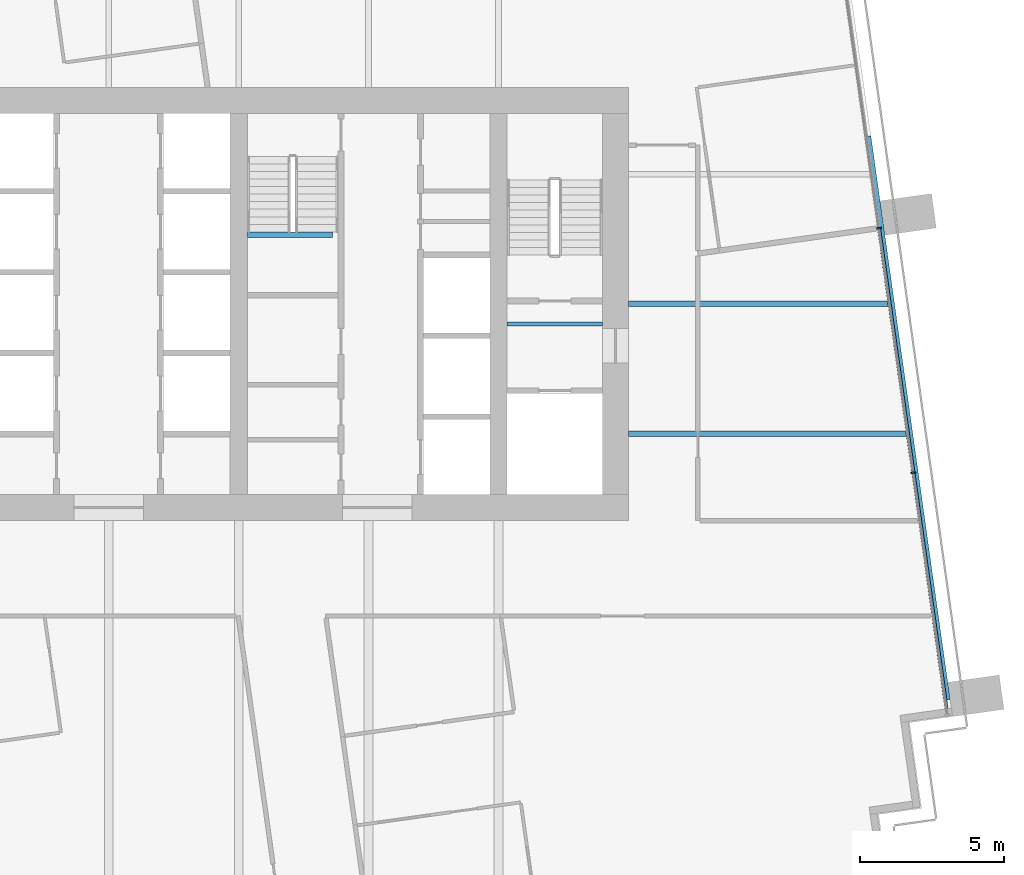
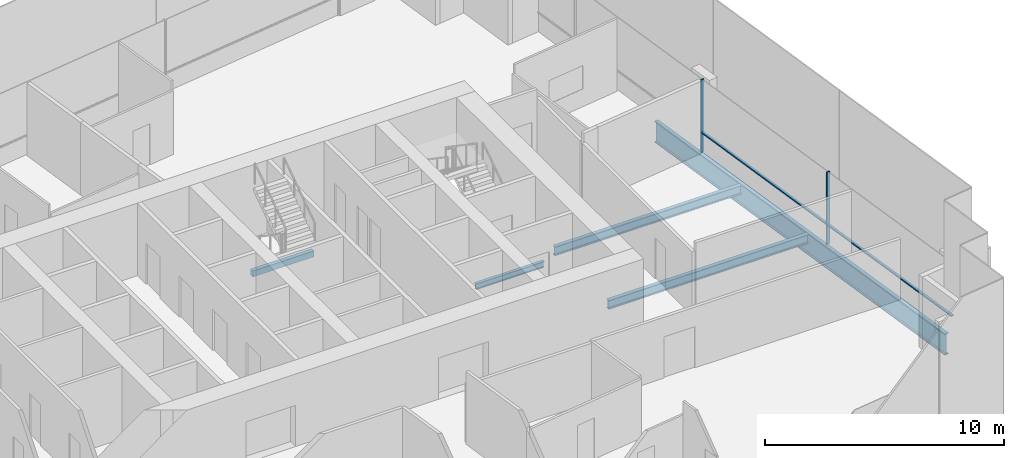
# One storey, part 5 of 17: 5 beams, 4 members, 1 element without a shape of its own.
"""IFC4 building model written with IfcOpenShell, lengths in metres."""

from ifc_helpers import new_model, si_unit, direction, frame, origin, origin_2d, place, context, subcontext, project, spatial, rectangle, i_section, extrude, material, material_profile, profile_set, type_object, element, aggregate, save


model = new_model("IFC4")

# Units and contexts
model_context = context("Model", 3, precision=1e-05, world=origin(), true_north=direction((0.0, 1.0)))
body_context = subcontext(model_context, "Body", "Model", "MODEL_VIEW")
ifc_project = project(units=[si_unit("LENGTHUNIT", "METRE"), si_unit("AREAUNIT", "SQUARE_METRE"), si_unit("VOLUMEUNIT", "CUBIC_METRE"), si_unit("PLANEANGLEUNIT", "RADIAN"), si_unit("MASSUNIT", "GRAM", prefix="KILO")], contexts=[model_context])

# Site, building, storey
site_placement = place(None, origin())
site = spatial("IfcSite", under=ifc_project, at=site_placement, CompositionType="ELEMENT")
building_placement = place(site_placement, origin())
building = spatial("IfcBuilding", under=site, at=building_placement, Name="Rattan Terrace Tower", CompositionType="ELEMENT")
storey_placement = place(building_placement, frame((0.0, 0.0, 191.89990234375)))
storey = spatial("IfcBuildingStorey", under=building, at=storey_placement, Name="L44", CompositionType="ELEMENT", Elevation=191.89990234375)

# Beam
ifc_material_1 = material(Name="Concrete C40/50", Category="concrete")
ifc_material_profile_1 = material_profile(ifc_material_1, rectangle(XDim=0.199951171875, YDim=0.300048828125, at=origin_2d()), Name="RC 200x300")
ifc_profile_set_1 = profile_set([ifc_material_profile_1], Name="Concrete C40/50")
beam_type_1 = type_object("IfcBeamType", Name="Core landing beam RC 200x300", PredefinedType="BEAM", material=ifc_profile_set_1)
beam_1_placement = place(storey_placement, frame((4.800048828125, 2.39990234375, 1.60009765625), z_axis=(1.0, 0.0, 0.0), x_axis=(0.0, 1.0, 0.0)))
element("IfcBeam", 1, at=beam_1_placement, inside=storey, type_object=beam_type_1, Name="st-S3-L44 landing 1 edge beam", PredefinedType="BEAM", context=body_context, shape_type="SweptSolid", body=[
    extrude(rectangle(XDim=0.199951171875, YDim=0.300048828125, at=origin_2d()), origin(), (0.0, 0.0, 1.0), 2.949951171875),
])

# Curtain wall, members
ifc_material_2 = material(Name="Aluminium and glass", Category="aluminium")
curtain_wall_type = type_object("IfcCurtainWallType", Name="Facade Unitised Curtain Wall", PredefinedType="NOTDEFINED", material=ifc_material_2)
curtain_wall_placement = place(storey_placement, origin())
curtain_wall = element("IfcCurtainWall", 2, at=curtain_wall_placement, inside=storey, type_object=curtain_wall_type, Name="Curtain wall L44-1", PredefinedType="NOTDEFINED")
ifc_material_3 = material(Name="Aluminium", Category="aluminium")
ifc_material_profile_2 = material_profile(ifc_material_3, rectangle(XDim=0.06005859375, YDim=0.159912109375, at=origin_2d()), Name="Aluminium 60x160")
ifc_profile_set_2 = profile_set([ifc_material_profile_2], Name="Aluminium")
member_type_1 = type_object("IfcMemberType", Name="Facade CW Mullion 60x160", PredefinedType="MULLION", material=ifc_profile_set_2)
member_1_placement = place(storey_placement, frame((27.857666015625, -5.8408203125, 0.0), z_axis=(0.0, 0.0, 1.0), x_axis=(-0.139190856006, 0.99026557327, 0.0)))
member_1 = element("IfcMember", 3, at=member_1_placement, type_object=member_type_1, Name="Mullion cwl-L44-001.2", PredefinedType="MULLION", context=body_context, shape_type="SweptSolid", body=[
    extrude(rectangle(XDim=0.06005859375, YDim=0.159912109375, at=origin_2d()), origin(), (0.0, 0.0, 1.0), 3.7001953125),
])
member_2_placement = place(storey_placement, frame((26.66748046875, 2.6259765625, 0.0), z_axis=(0.0, 0.0, 1.0), x_axis=(-0.139190856006, 0.99026557327, 0.0)))
member_2 = element("IfcMember", 4, at=member_2_placement, type_object=member_type_1, Name="Mullion cwl-L44-001.3", PredefinedType="MULLION", context=body_context, shape_type="SweptSolid", body=[
    extrude(rectangle(XDim=0.06005859375, YDim=0.159912109375, at=origin_2d()), origin(), (0.0, 0.0, 1.0), 3.7001953125),
])
ifc_material_4 = material(Name="Aluminium", Category="aluminium")
ifc_material_profile_3 = material_profile(ifc_material_4, rectangle(XDim=0.1201171875, YDim=0.06005859375, at=origin_2d()), Name="Aluminium 120x60")
ifc_profile_set_3 = profile_set([ifc_material_profile_3], Name="Aluminium")
member_type_2 = type_object("IfcMemberType", Name="Facade CW Transom 120x60", PredefinedType="USERDEFINED", material=ifc_profile_set_3)
member_3_placement = place(storey_placement, frame((29.032958984375, -14.20361328125, 1.0), z_axis=(-0.139174814558, 0.99026782791, 0.0), x_axis=(-0.99026782791, -0.139174814558, 0.0)))
member_3 = element("IfcMember", 5, at=member_3_placement, type_object=member_type_2, Name="Transom cwl-L44-001.1", ObjectType="TRANSOM", PredefinedType="USERDEFINED", context=body_context, shape_type="SweptSolid", body=[
    extrude(rectangle(XDim=0.1201171875, YDim=0.06005859375, at=origin_2d()), origin(), (0.0, 0.0, 1.0), 8.414794921875),
])
member_4_placement = place(storey_placement, frame((27.853515625, -5.811279296875, 1.0), z_axis=(-0.139206806234, 0.990263331189, 0.0), x_axis=(-0.990263331189, -0.139206806234, 0.0)))
member_4 = element("IfcMember", 6, at=member_4_placement, type_object=member_type_2, Name="Transom cwl-L44-001.2", ObjectType="TRANSOM", PredefinedType="USERDEFINED", context=body_context, shape_type="SweptSolid", body=[
    extrude(rectangle(XDim=0.1201171875, YDim=0.06005859375, at=origin_2d()), origin(), (0.0, 0.0, 1.0), 8.490234375),
])
aggregate(curtain_wall, [member_1, member_2, member_3, member_4])

# Beams
ifc_material_5 = material(Name="Steel S460", Category="steel")
ifc_material_profile_4 = material_profile(ifc_material_5, i_section(OverallWidth=0.179931640625, OverallDepth=1.10009765625, WebThickness=0.01611328125, FlangeThickness=0.050048828125, at=origin_2d()), Name="PG 1100x180-16-50")
ifc_profile_set_4 = profile_set([ifc_material_profile_4], Name="Steel S460")
beam_type_2 = type_object("IfcBeamType", Name="Frame edge girder PG 1100x180-16-50", PredefinedType="SPANDREL", material=ifc_profile_set_4)
beam_2_placement = place(storey_placement, frame((26.301025390625, 5.81201171875, -0.75), z_axis=(0.139187065437, -0.990266106062, 0.0), x_axis=(0.990266106062, 0.139187065437, 0.0)))
element("IfcBeam", 7, at=beam_2_placement, inside=storey, type_object=beam_type_2, Name="gdr-L44-005", PredefinedType="SPANDREL", context=body_context, shape_type="SweptSolid", body=[
    extrude(i_section(OverallWidth=0.179931640625, OverallDepth=1.10009765625, WebThickness=0.01611328125, FlangeThickness=0.050048828125, at=origin_2d()), origin(), (0.0, 0.0, 1.0), 19.706787109375),
])
ifc_material_6 = material(Name="Steel S355", Category="steel")
ifc_material_profile_5 = material_profile(ifc_material_6, i_section(OverallWidth=0.14990234375, OverallDepth=0.300048828125, WebThickness=0.007080078125, FlangeThickness=0.0107421875, FilletRadius=0.014892578125, at=origin_2d()), Name="IPE 300")
ifc_profile_set_5 = profile_set([ifc_material_profile_5], Name="Steel S355")
beam_type_3 = type_object("IfcBeamType", Name="Frame floor beam IPE 300", PredefinedType="JOIST", material=ifc_profile_set_5)
beam_3_placement = place(storey_placement, frame((13.800048828125, -0.695068359375, -0.349853515625), z_axis=(1.0, 0.0, 0.0), x_axis=(0.0, 1.0, 0.0)))
element("IfcBeam", 8, at=beam_3_placement, inside=storey, type_object=beam_type_3, Name="bm-L44-002", PredefinedType="JOIST", context=body_context, shape_type="SweptSolid", body=[
    extrude(i_section(OverallWidth=0.14990234375, OverallDepth=0.300048828125, WebThickness=0.007080078125, FlangeThickness=0.0107421875, FilletRadius=0.014892578125, at=origin_2d()), origin(), (0.0, 0.0, 1.0), 3.300048828125),
])
ifc_material_7 = material(Name="Steel S355", Category="steel")
ifc_material_profile_6 = material_profile(ifc_material_7, i_section(OverallWidth=0.18994140625, OverallDepth=0.449951171875, WebThickness=0.009521484375, FlangeThickness=0.0146484375, FilletRadius=0.02099609375, at=origin_2d()), Name="IPE 450")
ifc_profile_set_6 = profile_set([ifc_material_profile_6], Name="Steel S355")
beam_type_4 = type_object("IfcBeamType", Name="Frame floor beam IPE 450", PredefinedType="JOIST", material=ifc_profile_set_6)
beam_4_placement = place(storey_placement, frame((18.0, -4.5, -0.4248046875), z_axis=(1.0, 0.0, 0.0), x_axis=(0.0, 1.0, 0.0)))
element("IfcBeam", 9, at=beam_4_placement, inside=storey, type_object=beam_type_4, Name="bm-L44-011", PredefinedType="JOIST", context=body_context, shape_type="SweptSolid", body=[
    extrude(i_section(OverallWidth=0.18994140625, OverallDepth=0.449951171875, WebThickness=0.009521484375, FlangeThickness=0.0146484375, FilletRadius=0.02099609375, at=origin_2d()), origin(), (0.0, 0.0, 1.0), 9.64599609375),
])
beam_5_placement = place(storey_placement, frame((18.0, 0.0, -0.4248046875), z_axis=(1.0, 0.0, 0.0), x_axis=(0.0, 1.0, 0.0)))
element("IfcBeam", 10, at=beam_5_placement, inside=storey, type_object=beam_type_4, Name="bm-L44-013", PredefinedType="JOIST", context=body_context, shape_type="SweptSolid", body=[
    extrude(i_section(OverallWidth=0.18994140625, OverallDepth=0.449951171875, WebThickness=0.009521484375, FlangeThickness=0.0146484375, FilletRadius=0.02099609375, at=origin_2d()), origin(), (0.0, 0.0, 1.0), 9.013916015625),
])

save(model, "model.ifc")
